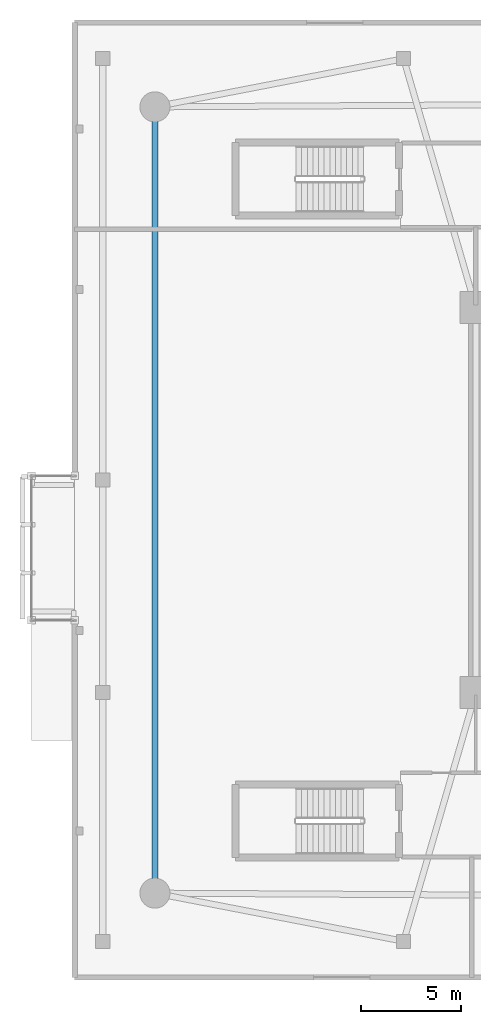
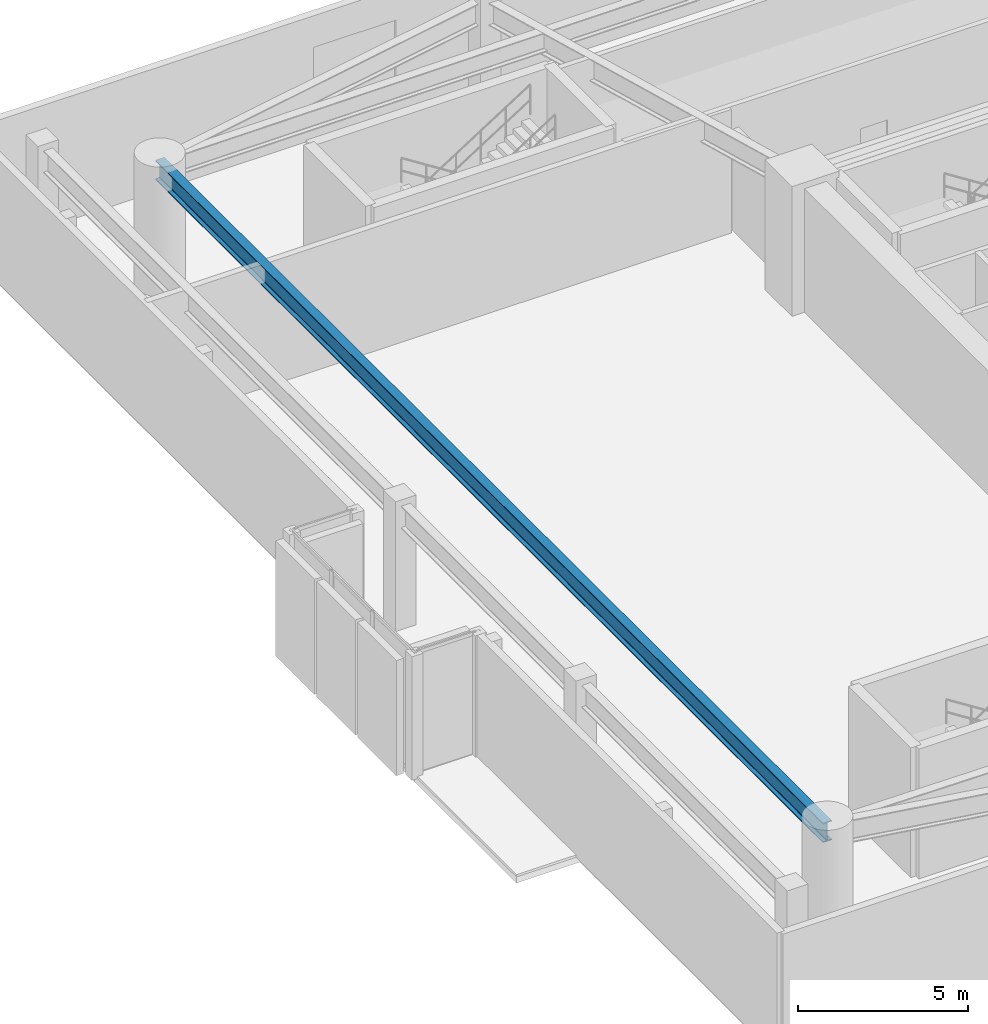
# One storey, part 3 of 16: 1 beam.
"""IFC4 building model written with IfcOpenShell, lengths in metres."""

from ifc_helpers import new_model, si_unit, direction, frame, origin, origin_2d, place, context, subcontext, project, spatial, i_section, extrude, material, material_profile, profile_set, type_object, element, save


model = new_model("IFC4")

# Units and contexts
model_context = context("Model", 3, precision=1e-05, world=origin(), true_north=direction((0.0, 1.0)))
body_context = subcontext(model_context, "Body", "Model", "MODEL_VIEW")
ifc_project = project(units=[si_unit("LENGTHUNIT", "METRE"), si_unit("AREAUNIT", "SQUARE_METRE"), si_unit("VOLUMEUNIT", "CUBIC_METRE"), si_unit("PLANEANGLEUNIT", "RADIAN"), si_unit("MASSUNIT", "GRAM", prefix="KILO")], contexts=[model_context])

# Site, building, storey
site_placement = place(None, origin())
site = spatial("IfcSite", under=ifc_project, at=site_placement, CompositionType="ELEMENT")
building_placement = place(site_placement, origin())
building = spatial("IfcBuilding", under=site, at=building_placement, Name="An Khanh Terracotta Commons", CompositionType="ELEMENT")
storey_placement = place(building_placement, frame((0.0, 0.0, 10.050048828125)))
storey = spatial("IfcBuildingStorey", under=building, at=storey_placement, Name="L03", CompositionType="ELEMENT", Elevation=10.050048828125)

# Beam
ifc_material = material(Name="Steel S355J2", Category="steel")
ifc_material_profile = material_profile(ifc_material, i_section(OverallWidth=0.300048828125, OverallDepth=0.699951171875, WebThickness=0.01708984375, FlangeThickness=0.031982421875, FilletRadius=0.027099609375, at=origin_2d()), Name="HEB700")
ifc_profile_set = profile_set([ifc_material_profile], Name="Steel S355J2")
beam_type = type_object("IfcBeamType", Name="BM-HEB700", PredefinedType="BEAM", material=ifc_profile_set)
beam_placement = place(storey_placement, frame((5.60009765625, 43.60009765625, 4.079833984375), z_axis=(0.0, -1.0, 0.0), x_axis=(1.0, 0.0, 0.0)))
element("IfcBeam", 1, at=beam_placement, inside=storey, type_object=beam_type, Name="L03 Podium Mega-Ring Girder 6", PredefinedType="BEAM", context=body_context, shape_type="SweptSolid", body=[
    extrude(i_section(OverallWidth=0.300048828125, OverallDepth=0.699951171875, WebThickness=0.01708984375, FlangeThickness=0.031982421875, FilletRadius=0.027099609375, at=origin_2d()), origin(), (0.0, 0.0, 1.0), 39.2001953125),
])

save(model, "model.ifc")
